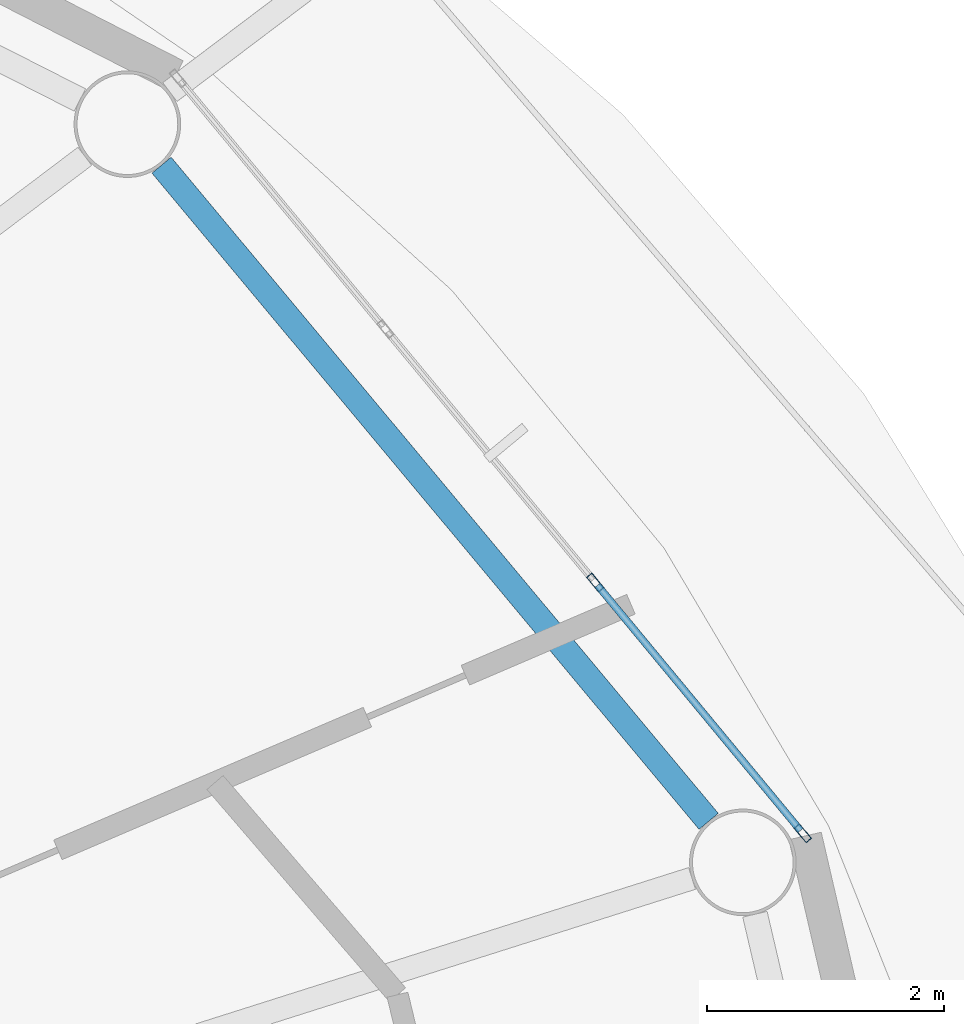
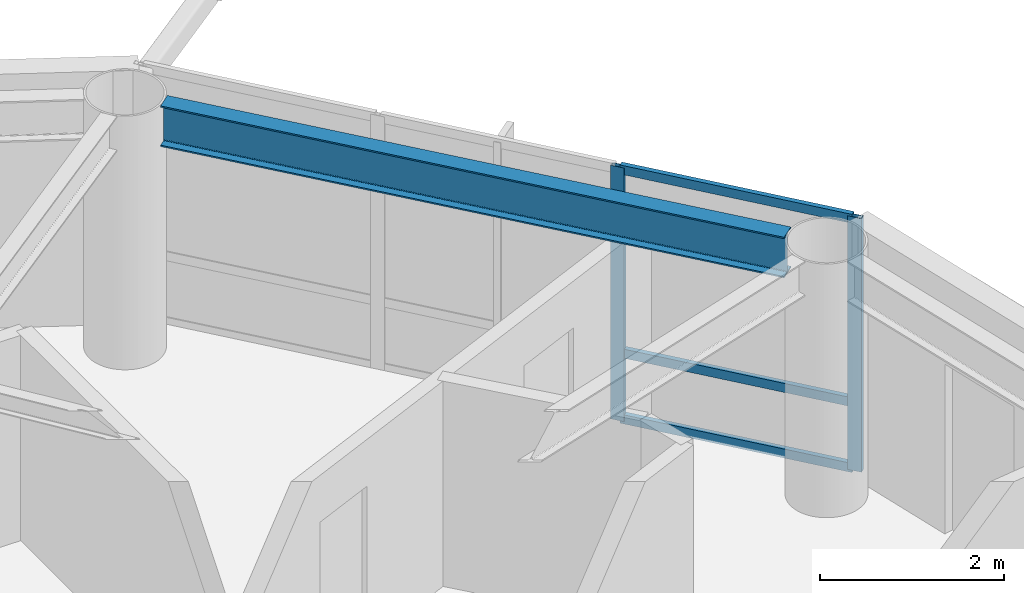
# One storey, part 7 of 22: 5 members, 1 beam, 1 element without a shape of its own.
"""IFC4 building model written with IfcOpenShell, lengths in metres."""

from ifc_helpers import new_model, si_unit, direction, frame, origin, origin_2d, place, context, subcontext, project, spatial, hollow_rectangle, i_section, extrude, material, layer, layer_set, material_profile, profile_set, type_object, element, aggregate, save


model = new_model("IFC4")

# Units and contexts
model_context = context("Model", 3, precision=1e-05, world=origin(), true_north=direction((0.0, 1.0)))
body_context = subcontext(model_context, "Body", "Model", "MODEL_VIEW")
ifc_project = project(units=[si_unit("LENGTHUNIT", "METRE"), si_unit("AREAUNIT", "SQUARE_METRE"), si_unit("VOLUMEUNIT", "CUBIC_METRE"), si_unit("PLANEANGLEUNIT", "RADIAN"), si_unit("MASSUNIT", "GRAM", prefix="KILO")], contexts=[model_context])

# Site, building, storey
site_placement = place(None, origin())
site = spatial("IfcSite", under=ifc_project, at=site_placement, CompositionType="ELEMENT")
building_placement = place(site_placement, origin())
building = spatial("IfcBuilding", under=site, at=building_placement, Name="Sarneth Arch Tower", CompositionType="ELEMENT")
storey_placement = place(building_placement, frame((0.0, 0.0, 213.60009765625)))
storey = spatial("IfcBuildingStorey", under=building, at=storey_placement, Name="L54", CompositionType="ELEMENT", Elevation=213.60009765625)

# Beam
ifc_material_1 = material(Name="Steel S355", Category="steel")
ifc_material_profile_1 = material_profile(ifc_material_1, i_section(OverallWidth=0.2109375, OverallDepth=0.5390625, WebThickness=0.01171875, FlangeThickness=0.018798828125, FilletRadius=0.01806640625, at=origin_2d()), Name="W530x109")
ifc_profile_set_1 = profile_set([ifc_material_profile_1], Name="Steel S355")
beam_type = type_object("IfcBeamType", Name="BM-RAD-530B", PredefinedType="BEAM", material=ifc_profile_set_1)
beam_placement = place(storey_placement, frame((70.880615234375, 49.693115234375, 3.09033203125), z_axis=(-0.640390876881, 0.768049168222, 0.0), x_axis=(-0.768049168222, -0.640390876881, 0.0)))
element("IfcBeam", 1, at=beam_placement, inside=storey, type_object=beam_type, Name="L54 Perimeter spandrel beam 02", PredefinedType="BEAM", context=body_context, shape_type="SweptSolid", body=[
    extrude(i_section(OverallWidth=0.2109375, OverallDepth=0.5390625, WebThickness=0.01171875, FlangeThickness=0.018798828125, FilletRadius=0.01806640625, at=origin_2d()), origin(), (0.0, 0.0, 1.0), 7.2099609375),
])

# Curtain wall, members
ifc_material_2 = material(Name="Anodised aluminium Type AA25 and solar-control low-e laminated IGU", Category="aluminium")
ifc_layer = layer(ifc_material_2, 0.179931640625)
ifc_layer_set = layer_set([ifc_layer], Name="Anodised aluminium Type AA25 and solar-control low-e laminated IGU")
curtain_wall_type = type_object("IfcCurtainWallType", Name="CW-RES-HIGH", PredefinedType="NOTDEFINED", material=ifc_layer_set)
curtain_wall_placement = place(storey_placement, origin())
curtain_wall = element("IfcCurtainWall", 2, at=curtain_wall_placement, inside=storey, type_object=curtain_wall_type, Name="L54 Unitised curtain wall facet 02", PredefinedType="NOTDEFINED")
ifc_material_3 = material(Name="Anodised Aluminium 6063-T6", Category="aluminium")
ifc_material_profile_2 = material_profile(ifc_material_3, hollow_rectangle(XDim=0.06005859375, YDim=0.159912109375, WallThickness=0.00390625, at=origin_2d()), Name="AL-MULL-160x60x4")
ifc_profile_set_2 = profile_set([ifc_material_profile_2], Name="Anodised Aluminium 6063-T6")
member_type_1 = type_object("IfcMemberType", Name="CW-MULLION", PredefinedType="MULLION", material=ifc_profile_set_2)
member_1_placement = place(storey_placement, frame((71.674560546875, 49.592529296875, 0.0), z_axis=(0.0, 0.0, 1.0), x_axis=(-0.770359245933, -0.637610094184, 0.0)))
member_1 = element("IfcMember", 3, at=member_1_placement, type_object=member_type_1, Name="CW-SYS-6 mullion 1", PredefinedType="MULLION", context=body_context, shape_type="SweptSolid", body=[
    extrude(hollow_rectangle(XDim=0.06005859375, YDim=0.159912109375, WallThickness=0.00390625, at=origin_2d()), origin(), (0.0, 0.0, 1.0), 3.35986328125),
])
member_2_placement = place(storey_placement, frame((69.92333984375, 51.70849609375, 0.0), z_axis=(0.0, 0.0, 1.0), x_axis=(-0.770359245933, -0.637610094184, 0.0)))
member_2 = element("IfcMember", 4, at=member_2_placement, type_object=member_type_1, Name="CW-SYS-6 mullion 2", PredefinedType="MULLION", context=body_context, shape_type="SweptSolid", body=[
    extrude(hollow_rectangle(XDim=0.06005859375, YDim=0.159912109375, WallThickness=0.00390625, at=origin_2d()), origin(), (0.0, 0.0, 1.0), 3.35986328125),
])
ifc_material_4 = material(Name="Anodised Aluminium 6063-T6", Category="aluminium")
ifc_material_profile_3 = material_profile(ifc_material_4, hollow_rectangle(XDim=0.06005859375, YDim=0.1201171875, WallThickness=0.00390625, at=origin_2d()), Name="AL-TRAN-120x60x4")
ifc_profile_set_3 = profile_set([ifc_material_profile_3], Name="Anodised Aluminium 6063-T6")
member_type_2 = type_object("IfcMemberType", Name="CW-TRANSOM", PredefinedType="USERDEFINED", material=ifc_profile_set_3)
member_3_placement = place(storey_placement, frame((71.655517578125, 49.61572265625, 0.02978515625), z_axis=(-0.637651400067, 0.770325056059, 0.0), x_axis=(-0.770325056059, -0.637651400067, 0.0)))
member_3 = element("IfcMember", 5, at=member_3_placement, type_object=member_type_2, Name="CW-SYS-6 transom 1.1", ObjectType="TRANSOM", PredefinedType="USERDEFINED", context=body_context, shape_type="SweptSolid", body=[
    extrude(hollow_rectangle(XDim=0.06005859375, YDim=0.1201171875, WallThickness=0.00390625, at=origin_2d()), origin(), (0.0, 0.0, 1.0), 2.6865234375),
])
member_4_placement = place(storey_placement, frame((71.655517578125, 49.61572265625, 0.89990234375), z_axis=(-0.637651400067, 0.770325056059, 0.0), x_axis=(-0.770325056059, -0.637651400067, 0.0)))
member_4 = element("IfcMember", 6, at=member_4_placement, type_object=member_type_2, Name="CW-SYS-6 transom 1.2", ObjectType="TRANSOM", PredefinedType="USERDEFINED", context=body_context, shape_type="SweptSolid", body=[
    extrude(hollow_rectangle(XDim=0.06005859375, YDim=0.1201171875, WallThickness=0.00390625, at=origin_2d()), origin(), (0.0, 0.0, 1.0), 2.6865234375),
])
member_5_placement = place(storey_placement, frame((71.655517578125, 49.61572265625, 3.329833984375), z_axis=(-0.637651400067, 0.770325056059, 0.0), x_axis=(-0.770325056059, -0.637651400067, 0.0)))
member_5 = element("IfcMember", 7, at=member_5_placement, type_object=member_type_2, Name="CW-SYS-6 transom 1.3", ObjectType="TRANSOM", PredefinedType="USERDEFINED", context=body_context, shape_type="SweptSolid", body=[
    extrude(hollow_rectangle(XDim=0.06005859375, YDim=0.1201171875, WallThickness=0.00390625, at=origin_2d()), origin(), (0.0, 0.0, 1.0), 2.6865234375),
])
aggregate(curtain_wall, [member_1, member_2, member_3, member_4, member_5])

save(model, "model.ifc")
